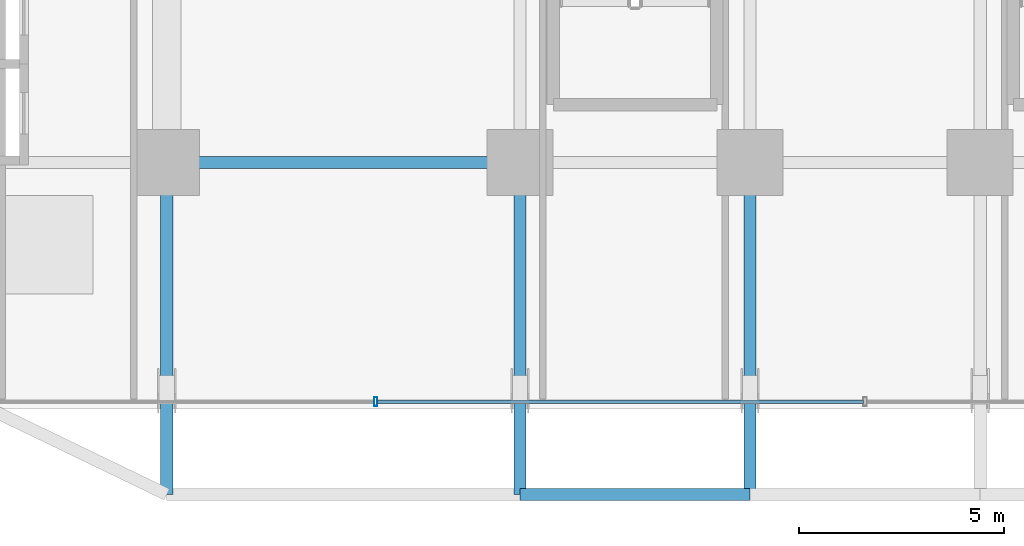
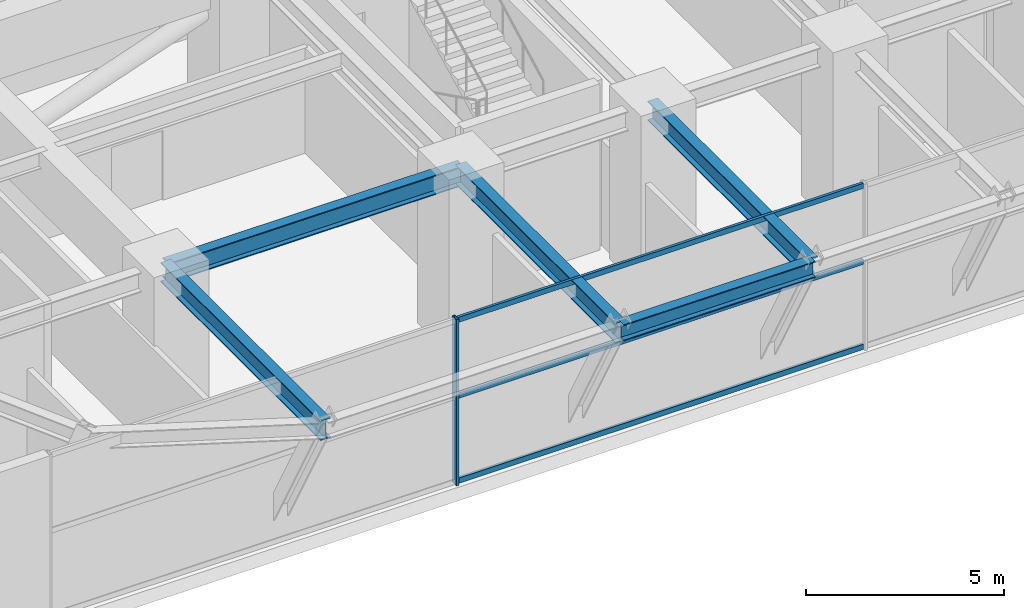
# One storey, part 4 of 29: 5 beams, 4 members, 1 element without a shape of its own.
"""IFC4 building model written with IfcOpenShell, lengths in metres."""

from ifc_helpers import new_model, si_unit, direction, frame, origin, origin_2d, place, context, subcontext, project, spatial, hollow_rectangle, i_section, extrude, source, transform, mapped, material, material_profile, profile_set, type_object, element, aggregate, save


model = new_model("IFC4")

# Units and contexts
model_context = context("Model", 3, precision=1e-05, world=origin(), true_north=direction((0.0, 1.0)))
body_context = subcontext(model_context, "Body", "Model", "MODEL_VIEW")
ifc_project = project(units=[si_unit("LENGTHUNIT", "METRE"), si_unit("AREAUNIT", "SQUARE_METRE"), si_unit("VOLUMEUNIT", "CUBIC_METRE"), si_unit("PLANEANGLEUNIT", "RADIAN"), si_unit("MASSUNIT", "GRAM", prefix="KILO")], contexts=[model_context])

# Site, building, storey
site_placement = place(None, origin())
site = spatial("IfcSite", under=ifc_project, at=site_placement, CompositionType="ELEMENT")
building_placement = place(site_placement, origin())
building = spatial("IfcBuilding", under=site, at=building_placement, Name="Nahalor Promenade Grand Hotel", CompositionType="ELEMENT")
storey_placement = place(building_placement, frame((0.0, 0.0, 27.0)))
storey = spatial("IfcBuildingStorey", under=building, at=storey_placement, Name="L05", CompositionType="ELEMENT", Elevation=27.0)

# Beams
ifc_material_1 = material(Name="Steel S355JR", Category="steel")
ifc_material_profile_1 = material_profile(ifc_material_1, i_section(OverallWidth=0.3, OverallDepth=0.6, WebThickness=0.0155, FlangeThickness=0.03, at=origin_2d()), Name="HEB 600")
ifc_profile_set_1 = profile_set([ifc_material_profile_1], Name="Steel S355JR")
beam_type_1 = type_object("IfcBeamType", Name="Beam-Girder-HEB600", PredefinedType="BEAM", material=ifc_profile_set_1)
shared_shape_1 = source(origin(), body_context, "Body", "SweptSolid", [
    extrude(i_section(OverallWidth=0.3, OverallDepth=0.6, WebThickness=0.0155, FlangeThickness=0.03, at=origin_2d()), origin(), (0.0, 0.0, 1.0), 8.60009765625),
])
beam_1_placement = place(storey_placement, frame((-17.0, -17.0, 4.820068359375), z_axis=(1.0, 0.0, 0.0), x_axis=(0.0, 1.0, 0.0)))
element("IfcBeam", 1, at=beam_1_placement, inside=storey, type_object=beam_type_1, Name="BM-L05-GX-0-1", PredefinedType="BEAM", context=body_context, shape_type="MappedRepresentation", body=[
    mapped(shared_shape_1, transform((0.0, 0.0, 0.0), scale=1.0)),
])
ifc_material_profile_2 = material_profile(ifc_material_1, i_section(OverallWidth=0.3, OverallDepth=0.5, WebThickness=0.0145, FlangeThickness=0.028, at=origin_2d()), Name="HEB 500")
ifc_profile_set_2 = profile_set([ifc_material_profile_2], Name="Steel S355JR")
beam_type_2 = type_object("IfcBeamType", Name="Beam-Spandrel-HEB500", PredefinedType="SPANDREL", material=ifc_profile_set_2)
shared_shape_2 = source(origin(), body_context, "Body", "SweptSolid", [
    extrude(i_section(OverallWidth=0.3, OverallDepth=0.5, WebThickness=0.0145, FlangeThickness=0.028, at=origin_2d()), origin(), (0.0, 0.0, 1.0), 5.599853515625),
])
beam_2_placement = place(storey_placement, frame((-8.39990234375, -25.080078125, 4.8701171875), z_axis=(1.0, 0.0, 0.0), x_axis=(0.0, 1.0, 0.0)))
element("IfcBeam", 2, at=beam_2_placement, inside=storey, type_object=beam_type_2, Name="BM-L05-SP-S-1", PredefinedType="SPANDREL", context=body_context, shape_type="MappedRepresentation", body=[
    mapped(shared_shape_2, transform((0.0, 0.0, 0.0), scale=1.0)),
])
shared_shape_3 = source(origin(), body_context, "Body", "SweptSolid", [
    extrude(i_section(OverallWidth=0.3, OverallDepth=0.6, WebThickness=0.0155, FlangeThickness=0.03, at=origin_2d()), origin(), (0.0, 0.0, 1.0), 8.080078125),
])
for number, where, z_axis, x_axis, name in (
    (3, (-17.0, -25.080078125, 4.820068359375), (0.0, 1.0, 0.0), (-1.0, 0.0, 0.0), "BM-L05-GY-0-0"),
    (4, (-8.39990234375, -25.080078125, 4.820068359375), (0.0, 1.0, 0.0), (-1.0, 0.0, 0.0), "BM-L05-GY-1-0"),
    (5, (-2.800048828125, -25.080078125, 4.820068359375), (0.0, 1.0, 0.0), (-1.0, 0.0, 0.0), "BM-L05-GY-2-0"),
):
    element("IfcBeam", number, at=place(storey_placement, frame(where, z_axis=z_axis, x_axis=x_axis)), inside=storey, type_object=beam_type_1, Name=name, PredefinedType="BEAM", context=body_context, shape_type="MappedRepresentation", body=[
        mapped(shared_shape_3, transform((0.0, 0.0, 0.0), scale=1.0)),
    ])

# Curtain wall, members
ifc_material_2 = material(Name="Anodised Bronze Aluminium EN AW-6063 T6", Category="aluminium")
curtain_wall_type = type_object("IfcCurtainWallType", Name="CW1 Waterfront Podium Bronze Arcade Curtain Wall", PredefinedType="USERDEFINED", material=ifc_material_2)
curtain_wall_placement = place(storey_placement, origin())
curtain_wall = element("IfcCurtainWall", 6, at=curtain_wall_placement, inside=storey, type_object=curtain_wall_type, Name="L05 Curtain Wall CW-L05-S", ObjectType="UNITISED_CURTAIN_WALL", PredefinedType="USERDEFINED")
ifc_material_profile_3 = material_profile(ifc_material_2, hollow_rectangle(XDim=0.08, YDim=0.22, WallThickness=0.005, at=origin_2d()), Name="CWM 80x220x5")
ifc_profile_set_3 = profile_set([ifc_material_profile_3], Name="Anodised Bronze Aluminium EN AW-6063 T6")
member_type_1 = type_object("IfcMemberType", Name="CWM1 Podium Bronze Mullion 80x220", PredefinedType="MULLION", material=ifc_profile_set_3)
shared_shape_4 = source(origin(), body_context, "Body", "SweptSolid", [
    extrude(hollow_rectangle(XDim=0.08, YDim=0.22, WallThickness=0.005, at=origin_2d()), origin(), (0.0, 0.0, 1.0), 5.1201171875),
])
member_1_placement = place(storey_placement, frame((-11.909912109375, -22.820068359375, 0.0), z_axis=(0.0, 0.0, 1.0), x_axis=(1.0, 0.0, 0.0)))
member_1 = element("IfcMember", 7, at=member_1_placement, type_object=member_type_1, Name="CW-L05-S Mullion 1", PredefinedType="MULLION", context=body_context, shape_type="MappedRepresentation", body=[
    mapped(shared_shape_4, transform((0.0, 0.0, 0.0), scale=1.0)),
])
ifc_material_profile_4 = material_profile(ifc_material_2, hollow_rectangle(XDim=0.08, YDim=0.16, WallThickness=0.004, at=origin_2d()), Name="CWT 80x160x4")
ifc_profile_set_4 = profile_set([ifc_material_profile_4], Name="Anodised Bronze Aluminium EN AW-6063 T6")
member_type_2 = type_object("IfcMemberType", Name="CWT1 Podium Bronze Transom 80x160", PredefinedType="USERDEFINED", material=ifc_profile_set_4)
shared_shape_5 = source(origin(), body_context, "Body", "SweptSolid", [
    extrude(hollow_rectangle(XDim=0.08, YDim=0.16, WallThickness=0.004, at=origin_2d()), origin(), (0.0, 0.0, 1.0), 11.830078125),
])
member_2_placement = place(storey_placement, frame((-11.8701171875, -22.820068359375, 0.080078125), z_axis=(1.0, 0.0, 0.0), x_axis=(0.0, 1.0, 0.0)))
member_2 = element("IfcMember", 8, at=member_2_placement, type_object=member_type_2, Name="CW-L05-S Transom 1-0", ObjectType="TRANSOM", PredefinedType="USERDEFINED", context=body_context, shape_type="MappedRepresentation", body=[
    mapped(shared_shape_5, transform((0.0, 0.0, 0.0), scale=1.0)),
])
member_3_placement = place(storey_placement, frame((-11.8701171875, -22.820068359375, 2.699951171875), z_axis=(1.0, 0.0, 0.0), x_axis=(0.0, 1.0, 0.0)))
member_3 = element("IfcMember", 9, at=member_3_placement, type_object=member_type_2, Name="CW-L05-S Transom 1-1", ObjectType="TRANSOM", PredefinedType="USERDEFINED", context=body_context, shape_type="MappedRepresentation", body=[
    mapped(shared_shape_5, transform((0.0, 0.0, 0.0), scale=1.0)),
])
member_4_placement = place(storey_placement, frame((-11.8701171875, -22.820068359375, 5.0400390625), z_axis=(1.0, 0.0, 0.0), x_axis=(0.0, 1.0, 0.0)))
member_4 = element("IfcMember", 10, at=member_4_placement, type_object=member_type_2, Name="CW-L05-S Transom 1-2", ObjectType="TRANSOM", PredefinedType="USERDEFINED", context=body_context, shape_type="MappedRepresentation", body=[
    mapped(shared_shape_5, transform((0.0, 0.0, 0.0), scale=1.0)),
])
aggregate(curtain_wall, [member_1, member_2, member_3, member_4])

save(model, "model.ifc")
